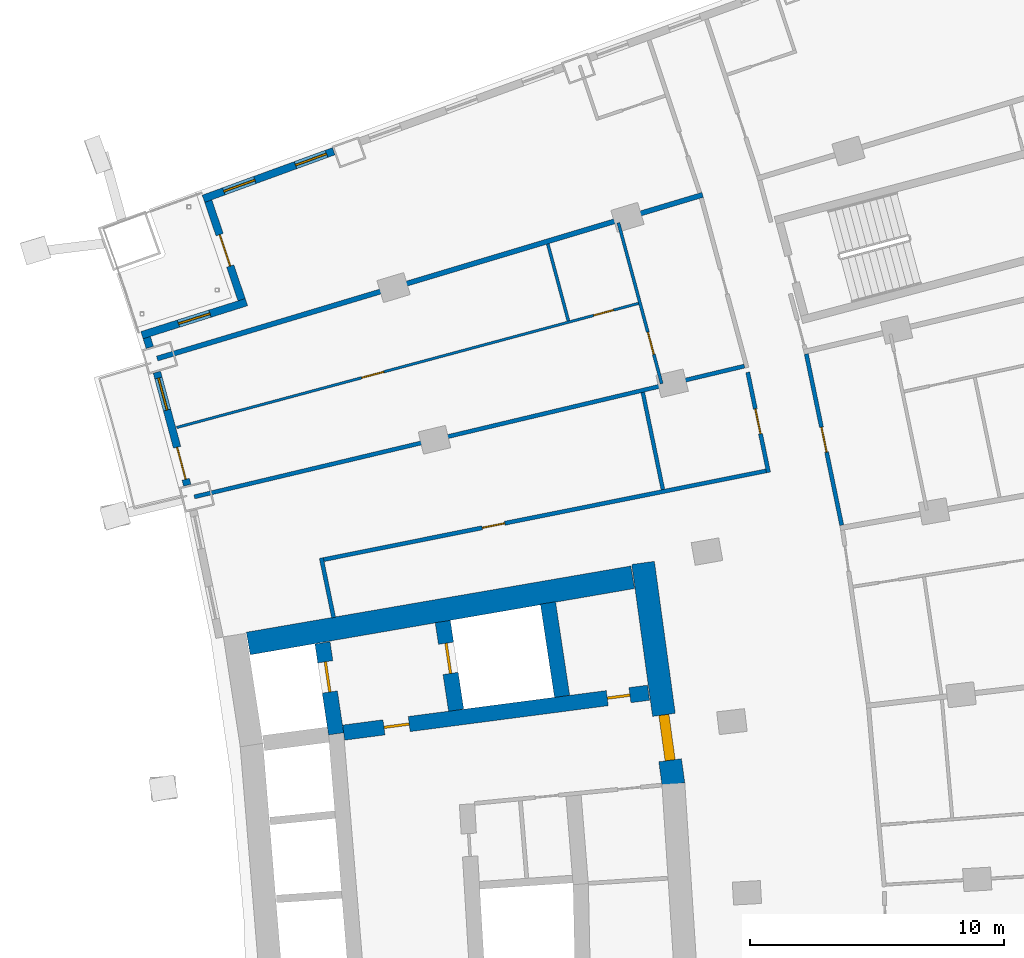
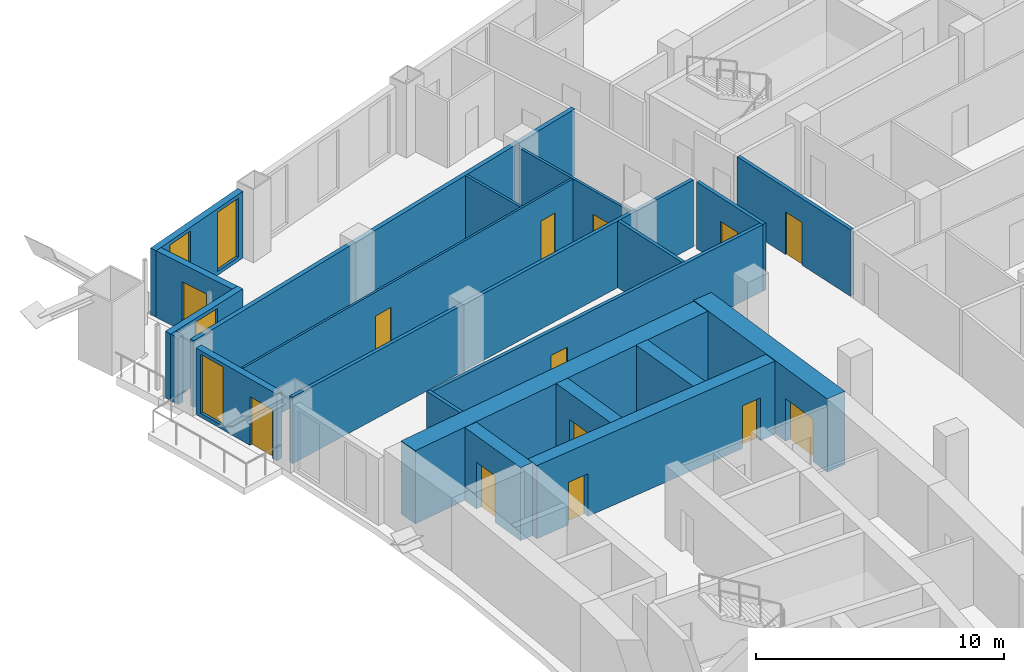
# One storey, part 16 of 22: 21 walls, 13 doors, 4 windows, 17 openings.
"""IFC4 building model written with IfcOpenShell, lengths in metres."""

from ifc_helpers import new_model, si_unit, direction, frame, frame_2d, origin, place, context, subcontext, project, spatial, rectangle, extrude, material, layer, layer_set, type_object, element, fill, save


model = new_model("IFC4")

# Units and contexts
model_context = context("Model", 3, precision=1e-05, world=origin(), true_north=direction((0.0, 1.0)))
body_context = subcontext(model_context, "Body", "Model", "MODEL_VIEW")
ifc_project = project(units=[si_unit("LENGTHUNIT", "METRE"), si_unit("AREAUNIT", "SQUARE_METRE"), si_unit("VOLUMEUNIT", "CUBIC_METRE"), si_unit("PLANEANGLEUNIT", "RADIAN"), si_unit("MASSUNIT", "GRAM", prefix="KILO")], contexts=[model_context])

# Site, building, storey
site_placement = place(None, origin())
site = spatial("IfcSite", under=ifc_project, at=site_placement, CompositionType="ELEMENT")
building_placement = place(site_placement, origin())
building = spatial("IfcBuilding", under=site, at=building_placement, Name="Alderwake Tower", CompositionType="ELEMENT")
storey_placement = place(building_placement, frame((0.0, 0.0, 50.0)))
storey = spatial("IfcBuildingStorey", under=building, at=storey_placement, Name="L11", CompositionType="ELEMENT", Elevation=50.0)

# Wall, opening, door
ifc_material_1 = material(Name="Concrete C70/85", Category="concrete")
ifc_layer_1 = layer(ifc_material_1, 0.89990234375)
ifc_layer_set_1 = layer_set([ifc_layer_1], Name="Core wall outer 900 C70-85")
wall_type_1 = type_object("IfcWallType", Name="Core wall outer 900 C70-85", PredefinedType="SHEAR", material=ifc_layer_set_1)
wall_1_placement = place(storey_placement, frame((31.520263671875, 80.7177734375, 0.0), z_axis=(0.0, 0.0, 1.0), x_axis=(0.135844728876, -0.990730139663, 0.0)))
wall_1 = element("IfcWall", 1, at=wall_1_placement, inside=storey, type_object=wall_type_1, Name="Core wall CW.009", PredefinedType="SHEAR", context=body_context, shape_type="SweptSolid", body=[
    extrude(rectangle(XDim=8.78662109375, YDim=0.89990234375, at=frame_2d((4.393310546875, 0.0))), origin(), (0.0, 0.0, 1.0), 3.60009765625),
])
opening_1_placement = place(wall_1_placement, frame((6.02978515625, 0.0, 0.0)))
opening_1 = element("IfcOpeningElement", 2, at=opening_1_placement, cuts=wall_1, Name="Opening C001", PredefinedType="OPENING", context=body_context, shape_type="SweptSolid", body=[
    extrude(rectangle(XDim=1.800048828125, YDim=2.10009765625, at=frame_2d((0.89990234375, 1.050048828125))), frame((0.0, 0.4599609375, 0.0), z_axis=(0.0, -1.0, 0.0), x_axis=(1.0, 0.0, 0.0)), (0.0, 0.0, 1.0), 0.919921875),
])
ifc_material_2 = material(Name="Steel-framed fire door leaves", Category="steel")
door_type_1 = type_object("IfcDoorType", Name="Core double door 1800 fire-rated", OperationType="DOUBLE_DOOR_SINGLE_SWING", PredefinedType="DOOR", material=ifc_material_2)
door_1_placement = place(opening_1_placement, origin())
door_1 = element("IfcDoor", 3, at=door_1_placement, inside=storey, type_object=door_type_1, Name="Lobby double door", OperationType="DOUBLE_DOOR_SINGLE_SWING", OverallHeight=2.10009765625, OverallWidth=1.800048828125, PredefinedType="DOOR", context=body_context, shape_type="SweptSolid", body=[
    extrude(rectangle(XDim=1.800048828125, YDim=2.10009765625, at=frame_2d((0.89990234375, 1.050048828125))), frame((0.0, 0.199951171875, 0.0), z_axis=(0.0, -1.0, 0.0), x_axis=(1.0, 0.0, 0.0)), (0.0, 0.0, 1.0), 0.39990234375),
])
fill(opening_1, door_1)

# Wall
wall_2_placement = place(storey_placement, frame((16.005615234375, 77.548828125, 0.0), z_axis=(0.0, 0.0, 1.0), x_axis=(0.985465815888, 0.169873852363, 0.0)))
element("IfcWall", 4, at=wall_2_placement, inside=storey, type_object=wall_type_1, Name="Core wall CW.053", PredefinedType="SHEAR", context=body_context, shape_type="SweptSolid", body=[
    extrude(rectangle(XDim=15.33056640625, YDim=0.89990234375, at=frame_2d((7.665283203125, 0.0))), origin(), (0.0, 0.0, 1.0), 3.60009765625),
])

# Wall, opening, door
ifc_material_3 = material(Name="Concrete C70/85", Category="concrete")
ifc_layer_2 = layer(ifc_material_3, 0.60009765625)
ifc_layer_set_2 = layer_set([ifc_layer_2], Name="Core wall spine 600 C70-85")
wall_type_2 = type_object("IfcWallType", Name="Core wall spine 600 C70-85", PredefinedType="SHEAR", material=ifc_layer_set_2)
wall_3_placement = place(storey_placement, frame((19.45458984375, 73.99755859375, 0.0), z_axis=(0.0, 0.0, 1.0), x_axis=(-0.147502312715, 0.989061710786, 0.0)))
wall_3 = element("IfcWall", 5, at=wall_3_placement, inside=storey, type_object=wall_type_2, Name="Core wall CW.030", PredefinedType="SHEAR", context=body_context, shape_type="SweptSolid", body=[
    extrude(rectangle(XDim=3.6181640625, YDim=0.60009765625, at=frame_2d((1.80908203125, 0.0))), origin(), (0.0, 0.0, 1.0), 3.60009765625),
])
opening_2_placement = place(wall_3_placement, frame((1.664306640625, 0.0, 0.0)))
opening_2 = element("IfcOpeningElement", 6, at=opening_2_placement, cuts=wall_3, Name="Opening LD-FF1", PredefinedType="OPENING", context=body_context, shape_type="SweptSolid", body=[
    extrude(rectangle(XDim=1.199951171875, YDim=2.300048828125, at=frame_2d((0.60009765625, 1.14990234375))), frame((0.0, 0.31005859375, 0.0), z_axis=(0.0, -1.0, 0.0), x_axis=(1.0, 0.0, 0.0)), (0.0, 0.0, 1.0), 0.6201171875),
])
ifc_material_4 = material(Name="Stainless steel sliding leaf", Category="steel")
door_type_2 = type_object("IfcDoorType", Name="Lift landing door 1200", OperationType="SLIDING_TO_LEFT", PredefinedType="DOOR", material=ifc_material_4)
door_2_placement = place(opening_2_placement, origin())
door_2 = element("IfcDoor", 7, at=door_2_placement, inside=storey, type_object=door_type_2, Name="Lift landing door FF1", OperationType="SLIDING_TO_LEFT", OverallHeight=2.300048828125, OverallWidth=1.199951171875, PredefinedType="DOOR", context=body_context, shape_type="SweptSolid", body=[
    extrude(rectangle(XDim=1.199951171875, YDim=2.300048828125, at=frame_2d((0.60009765625, 1.14990234375))), frame((0.0, 0.050048828125, 0.0), z_axis=(0.0, -1.0, 0.0), x_axis=(1.0, 0.0, 0.0)), (0.0, 0.0, 1.0), 0.10009765625),
])
fill(opening_2, door_2)

wall_4_placement = place(storey_placement, frame((24.173095703125, 74.927734375, 0.0), z_axis=(0.0, 0.0, 1.0), x_axis=(-0.14910953086, 0.988820685365, 0.0)))
wall_4 = element("IfcWall", 8, at=wall_4_placement, inside=storey, type_object=wall_type_2, Name="Core wall CW.044", PredefinedType="SHEAR", context=body_context, shape_type="SweptSolid", body=[
    extrude(rectangle(XDim=3.5234375, YDim=0.60009765625, at=frame_2d((1.76171875, 0.0))), origin(), (0.0, 0.0, 1.0), 3.60009765625),
])
opening_3_placement = place(wall_4_placement, frame((1.4619140625, 0.0, 0.0)))
opening_3 = element("IfcOpeningElement", 9, at=opening_3_placement, cuts=wall_4, Name="Opening LD-FF2", PredefinedType="OPENING", context=body_context, shape_type="SweptSolid", body=[
    extrude(rectangle(XDim=1.199951171875, YDim=2.300048828125, at=frame_2d((0.60009765625, 1.14990234375))), frame((0.0, 0.31005859375, 0.0), z_axis=(0.0, -1.0, 0.0), x_axis=(1.0, 0.0, 0.0)), (0.0, 0.0, 1.0), 0.6201171875),
])
door_3_placement = place(opening_3_placement, origin())
door_3 = element("IfcDoor", 10, at=door_3_placement, inside=storey, type_object=door_type_2, Name="Lift landing door FF2", OperationType="SLIDING_TO_LEFT", OverallHeight=2.300048828125, OverallWidth=1.199951171875, PredefinedType="DOOR", context=body_context, shape_type="SweptSolid", body=[
    extrude(rectangle(XDim=1.199951171875, YDim=2.300048828125, at=frame_2d((0.60009765625, 1.14990234375))), frame((0.0, 0.050048828125, 0.0), z_axis=(0.0, -1.0, 0.0), x_axis=(1.0, 0.0, 0.0)), (0.0, 0.0, 1.0), 0.10009765625),
])
fill(opening_3, door_3)

# Wall
wall_5_placement = place(storey_placement, frame((28.337646484375, 75.472412109375, 0.0), z_axis=(0.0, 0.0, 1.0), x_axis=(-0.149224787751, 0.988803298296, 0.0)))
element("IfcWall", 11, at=wall_5_placement, inside=storey, type_object=wall_type_2, Name="Core wall CW.001", PredefinedType="SHEAR", context=body_context, shape_type="SweptSolid", body=[
    extrude(rectangle(XDim=3.712158203125, YDim=0.60009765625, at=frame_2d((1.85595703125, 0.0))), origin(), (0.0, 0.0, 1.0), 3.60009765625),
])

# Wall, openings, doors
wall_6_placement = place(storey_placement, frame((31.735595703125, 75.6142578125, 0.0), z_axis=(0.0, 0.0, 1.0), x_axis=(-0.991553829991, -0.129695806526, 0.0)))
wall_6 = element("IfcWall", 12, at=wall_6_placement, inside=storey, type_object=wall_type_2, Name="Core wall CW.052", PredefinedType="SHEAR", context=body_context, shape_type="SweptSolid", body=[
    extrude(rectangle(XDim=12.0869140625, YDim=0.60009765625, at=frame_2d((6.04345703125, 0.0))), origin(), (0.0, 0.0, 1.0), 3.60009765625),
])
opening_4_placement = place(wall_6_placement, frame((9.4873046875, 0.0, 0.0)))
opening_4 = element("IfcOpeningElement", 13, at=opening_4_placement, cuts=wall_6, Name="Opening C002", PredefinedType="OPENING", context=body_context, shape_type="SweptSolid", body=[
    extrude(rectangle(XDim=1.0, YDim=2.10009765625, at=frame_2d((0.5, 1.050048828125))), frame((0.0, 0.31005859375, 0.0), z_axis=(0.0, -1.0, 0.0), x_axis=(1.0, 0.0, 0.0)), (0.0, 0.0, 1.0), 0.6201171875),
])
opening_5_placement = place(wall_6_placement, frame((0.7373046875, 0.0, 0.0)))
opening_5 = element("IfcOpeningElement", 14, at=opening_5_placement, cuts=wall_6, Name="Opening C020", PredefinedType="OPENING", context=body_context, shape_type="SweptSolid", body=[
    extrude(rectangle(XDim=0.89990234375, YDim=2.10009765625, at=frame_2d((0.449951171875, 1.050048828125))), frame((0.0, 0.31005859375, 0.0), z_axis=(0.0, -1.0, 0.0), x_axis=(1.0, 0.0, 0.0)), (0.0, 0.0, 1.0), 0.6201171875),
])
ifc_material_5 = material(Name="Painted steel leaf", Category="steel")
door_type_3 = type_object("IfcDoorType", Name="Core room door 900", OperationType="SINGLE_SWING_LEFT", PredefinedType="DOOR", material=ifc_material_5)
door_4_placement = place(opening_5_placement, origin())
door_4 = element("IfcDoor", 15, at=door_4_placement, inside=storey, type_object=door_type_3, Name="Room door", OperationType="SINGLE_SWING_LEFT", OverallHeight=2.10009765625, OverallWidth=0.89990234375, PredefinedType="DOOR", context=body_context, shape_type="SweptSolid", body=[
    extrude(rectangle(XDim=0.89990234375, YDim=2.10009765625, at=frame_2d((0.449951171875, 1.050048828125))), frame((0.0, 0.050048828125, 0.0), z_axis=(0.0, -1.0, 0.0), x_axis=(1.0, 0.0, 0.0)), (0.0, 0.0, 1.0), 0.10009765625),
])
fill(opening_5, door_4)
ifc_material_6 = material(Name="Steel-framed fire door leaf", Category="steel")
door_type_4 = type_object("IfcDoorType", Name="Firefighting lobby door 1000 fire-rated", OperationType="SINGLE_SWING_LEFT", PredefinedType="DOOR", material=ifc_material_6)
door_5_placement = place(opening_4_placement, origin())
door_5 = element("IfcDoor", 16, at=door_5_placement, inside=storey, type_object=door_type_4, Name="Firefighting lobby door", OperationType="SINGLE_SWING_RIGHT", OverallHeight=2.10009765625, OverallWidth=1.0, PredefinedType="DOOR", context=body_context, shape_type="SweptSolid", body=[
    extrude(rectangle(XDim=1.0, YDim=2.10009765625, at=frame_2d((0.5, 1.050048828125))), frame((0.0, 0.050048828125, 0.0), z_axis=(0.0, -1.0, 0.0), x_axis=(1.0, 0.0, 0.0)), (0.0, 0.0, 1.0), 0.10009765625),
])
fill(opening_4, door_5)

# Walls
ifc_material_7 = material(Name="Gypsum board on metal studs, rated")
ifc_layer_3 = layer(ifc_material_7, 0.159912109375)
ifc_layer_set_3 = layer_set([ifc_layer_3], Name="Corridor wall 160")
wall_type_3 = type_object("IfcWallType", Name="Corridor wall 160", PredefinedType="PARTITIONING", material=ifc_layer_set_3)
wall_7_placement = place(storey_placement, frame((18.874755859375, 80.910400390625, 0.0), z_axis=(0.0, 0.0, 1.0), x_axis=(0.202312089075, -0.979321100873, 0.0)))
element("IfcWall", 17, at=wall_7_placement, inside=storey, type_object=wall_type_3, Name="WL/L11/W16", PredefinedType="PARTITIONING", context=body_context, shape_type="SweptSolid", body=[
    extrude(rectangle(XDim=2.39306640625, YDim=0.159912109375, at=frame_2d((1.196533203125, 0.0))), origin(), (0.0, 0.0, 1.0), 3.280029296875),
])
wall_8_placement = place(storey_placement, frame((35.502197265625, 88.451416015625, 0.0), z_axis=(0.0, 0.0, 1.0), x_axis=(-0.972894913244, -0.231247676278, 0.0)))
element("IfcWall", 18, at=wall_8_placement, inside=storey, type_object=wall_type_3, Name="WL/L11/W23", PredefinedType="PARTITIONING", context=body_context, shape_type="SweptSolid", body=[
    extrude(rectangle(XDim=22.220458984375, YDim=0.159912109375, at=frame_2d((11.1103515625, 0.0))), origin(), (0.0, 0.0, 1.0), 3.280029296875),
])

# Wall, opening, door
wall_9_placement = place(storey_placement, frame((36.451416015625, 84.272705078125, 0.0), z_axis=(0.0, 0.0, 1.0), x_axis=(-0.203258199701, 0.979125172924, 0.0)))
wall_9 = element("IfcWall", 19, at=wall_9_placement, inside=storey, type_object=wall_type_3, Name="WL/L11/W24", PredefinedType="PARTITIONING", context=body_context, shape_type="SweptSolid", body=[
    extrude(rectangle(XDim=4.020263671875, YDim=0.159912109375, at=frame_2d((2.01025390625, 0.0))), origin(), (0.0, 0.0, 1.0), 3.280029296875),
])
opening_6_placement = place(wall_9_placement, frame((1.549560546875, 0.0, 0.0)))
opening_6 = element("IfcOpeningElement", 20, at=opening_6_placement, cuts=wall_9, Name="Opening R02-SBN2", PredefinedType="OPENING", context=body_context, shape_type="SweptSolid", body=[
    extrude(rectangle(XDim=1.0, YDim=2.10009765625, at=frame_2d((0.5, 1.050048828125))), frame((0.0, 0.08984375, 0.0), z_axis=(0.0, -1.0, 0.0), x_axis=(1.0, 0.0, 0.0)), (0.0, 0.0, 1.0), 0.179931640625),
])
ifc_material_8 = material(Name="Steel-framed fire door leaf", Category="steel")
door_type_5 = type_object("IfcDoorType", Name="Plant room door 1000 fire-rated", OperationType="SINGLE_SWING_LEFT", PredefinedType="DOOR", material=ifc_material_8)
door_6_placement = place(opening_6_placement, origin())
door_6 = element("IfcDoor", 21, at=door_6_placement, inside=storey, type_object=door_type_5, Name="DR/L11/SBN2", OperationType="SINGLE_SWING_LEFT", OverallHeight=2.10009765625, OverallWidth=1.0, PredefinedType="DOOR", context=body_context, shape_type="SweptSolid", body=[
    extrude(rectangle(XDim=1.0, YDim=2.10009765625, at=frame_2d((0.5, 1.050048828125))), frame((0.0, 0.02490234375, 0.0), z_axis=(0.0, -1.0, 0.0), x_axis=(1.0, 0.0, 0.0)), (0.0, 0.0, 1.0), 0.050048828125),
])
fill(opening_6, door_6)

wall_10_placement = place(storey_placement, frame((18.969482421875, 80.84765625, 0.0), z_axis=(0.0, 0.0, 1.0), x_axis=(0.980470914622, 0.196664144112, 0.0)))
wall_10 = element("IfcWall", 22, at=wall_10_placement, inside=storey, type_object=wall_type_3, Name="WL/L11/W28", PredefinedType="PARTITIONING", context=body_context, shape_type="SweptSolid", body=[
    extrude(rectangle(XDim=17.733642578125, YDim=0.159912109375, at=frame_2d((8.86669921875, 0.0))), origin(), (0.0, 0.0, 1.0), 3.280029296875),
])
opening_7_placement = place(wall_10_placement, frame((6.35693359375, 0.0, 0.0)))
opening_7 = element("IfcOpeningElement", 23, at=opening_7_placement, cuts=wall_10, Name="Opening R02-SBN1", PredefinedType="OPENING", context=body_context, shape_type="SweptSolid", body=[
    extrude(rectangle(XDim=0.89990234375, YDim=2.10009765625, at=frame_2d((0.449951171875, 1.050048828125))), frame((0.0, 0.08984375, 0.0), z_axis=(0.0, -1.0, 0.0), x_axis=(1.0, 0.0, 0.0)), (0.0, 0.0, 1.0), 0.179931640625),
])
ifc_material_9 = material(Name="Painted timber leaf", Category="wood")
door_type_6 = type_object("IfcDoorType", Name="Room door 900", OperationType="SINGLE_SWING_LEFT", PredefinedType="DOOR", material=ifc_material_9)
door_7_placement = place(opening_7_placement, origin())
door_7 = element("IfcDoor", 24, at=door_7_placement, inside=storey, type_object=door_type_6, Name="DR/L11/SBN1", OperationType="SINGLE_SWING_LEFT", OverallHeight=2.10009765625, OverallWidth=0.89990234375, PredefinedType="DOOR", context=body_context, shape_type="SweptSolid", body=[
    extrude(rectangle(XDim=0.89990234375, YDim=2.10009765625, at=frame_2d((0.449951171875, 1.050048828125))), frame((0.0, 0.02490234375, 0.0), z_axis=(0.0, -1.0, 0.0), x_axis=(1.0, 0.0, 0.0)), (0.0, 0.0, 1.0), 0.050048828125),
])
fill(opening_7, door_7)

wall_11_placement = place(storey_placement, frame((37.937255859375, 88.927001953125, 0.0), z_axis=(0.0, 0.0, 1.0), x_axis=(0.20241288737, -0.979300272147, 0.0)))
wall_11 = element("IfcWall", 25, at=wall_11_placement, inside=storey, type_object=wall_type_3, Name="WL/L11/W34", PredefinedType="PARTITIONING", context=body_context, shape_type="SweptSolid", body=[
    extrude(rectangle(XDim=6.870361328125, YDim=0.159912109375, at=frame_2d((3.43505859375, 0.0))), origin(), (0.0, 0.0, 1.0), 3.280029296875),
])
opening_8_placement = place(wall_11_placement, frame((2.93505859375, 0.0, 0.0)))
opening_8 = element("IfcOpeningElement", 26, at=opening_8_placement, cuts=wall_11, Name="Opening R02-U10.2", PredefinedType="OPENING", context=body_context, shape_type="SweptSolid", body=[
    extrude(rectangle(XDim=1.0, YDim=2.10009765625, at=frame_2d((0.5, 1.050048828125))), frame((0.0, 0.08984375, 0.0), z_axis=(0.0, -1.0, 0.0), x_axis=(1.0, 0.0, 0.0)), (0.0, 0.0, 1.0), 0.179931640625),
])
ifc_material_10 = material(Name="Solid timber leaf in steel frame", Category="steel")
door_type_7 = type_object("IfcDoorType", Name="Flat entrance door 1000 fire-rated", OperationType="SINGLE_SWING_LEFT", PredefinedType="DOOR", material=ifc_material_10)
door_8_placement = place(opening_8_placement, origin())
door_8 = element("IfcDoor", 27, at=door_8_placement, inside=storey, type_object=door_type_7, Name="DR/L11/U10.2", OperationType="SINGLE_SWING_LEFT", OverallHeight=2.10009765625, OverallWidth=1.0, PredefinedType="DOOR", context=body_context, shape_type="SweptSolid", body=[
    extrude(rectangle(XDim=1.0, YDim=2.10009765625, at=frame_2d((0.5, 1.050048828125))), frame((0.0, 0.02490234375, 0.0), z_axis=(0.0, -1.0, 0.0), x_axis=(1.0, 0.0, 0.0)), (0.0, 0.0, 1.0), 0.050048828125),
])
fill(opening_8, door_8)

# Wall
ifc_material_11 = material(Name="Precast concrete C50/60 spandrel panel", Category="concrete")
ifc_layer_4 = layer(ifc_material_11, 0.300048828125)
ifc_layer_set_4 = layer_set([ifc_layer_4], Name="External wall EW1 Precast concrete C50/60 spandrel")
wall_type_4 = type_object("IfcWallType", Name="External wall EW1 Precast concrete C50/60 spandrel", PredefinedType="SOLIDWALL", material=ifc_layer_set_4)
wall_12_placement = place(storey_placement, frame((12.01416015625, 89.5703125, 0.0), z_axis=(0.0, 0.0, 1.0), x_axis=(0.29468230117, -0.955595281161, 0.0)))
element("IfcWall", 28, at=wall_12_placement, inside=storey, type_object=wall_type_4, Name="External wall 32", PredefinedType="SOLIDWALL", context=body_context, shape_type="SweptSolid", body=[
    extrude(rectangle(XDim=0.402587890625, YDim=0.300048828125, at=frame_2d((0.201171875, 0.0))), origin(), (0.0, 0.0, 1.0), 3.280029296875),
])

# Wall, openings, door, window
wall_13_placement = place(storey_placement, frame((12.4130859375, 88.212890625, 0.0), z_axis=(0.0, 0.0, 1.0), x_axis=(0.259495671332, -0.965744270788, 0.0)))
wall_13 = element("IfcWall", 29, at=wall_13_placement, inside=storey, type_object=wall_type_4, Name="External wall 33", PredefinedType="SOLIDWALL", context=body_context, shape_type="SweptSolid", body=[
    extrude(rectangle(XDim=4.599609375, YDim=0.300048828125, at=frame_2d((2.2998046875, 0.0))), origin(), (0.0, 0.0, 1.0), 3.280029296875),
])
opening_9_placement = place(wall_13_placement, frame((0.2412109375, 0.0, 0.199951171875)))
opening_9 = element("IfcOpeningElement", 30, at=opening_9_placement, cuts=wall_13, Name="Opening W1", PredefinedType="OPENING", context=body_context, shape_type="SweptSolid", body=[
    extrude(rectangle(XDim=1.300048828125, YDim=2.89990234375, at=frame_2d((0.64990234375, 1.449951171875))), frame((0.0, 0.159912109375, 0.0), z_axis=(0.0, -1.0, 0.0), x_axis=(1.0, 0.0, 0.0)), (0.0, 0.0, 1.0), 0.320068359375),
])
opening_10_placement = place(wall_13_placement, frame((3.058349609375, 0.0, 0.0)))
opening_10 = element("IfcOpeningElement", 31, at=opening_10_placement, cuts=wall_13, Name="Opening D15", PredefinedType="OPENING", context=body_context, shape_type="SweptSolid", body=[
    extrude(rectangle(XDim=1.300048828125, YDim=2.39990234375, at=frame_2d((0.64990234375, 1.199951171875))), frame((0.0, 0.159912109375, 0.0), z_axis=(0.0, -1.0, 0.0), x_axis=(1.0, 0.0, 0.0)), (0.0, 0.0, 1.0), 0.320068359375),
])
ifc_material_12 = material(Name="Bronze tinted glass in aluminium frame", Category="aluminium")
door_type_8 = type_object("IfcDoorType", Name="Balcony door BD sliding", OperationType="SLIDING_TO_LEFT", PredefinedType="DOOR", material=ifc_material_12)
door_9_placement = place(opening_10_placement, origin())
door_9 = element("IfcDoor", 32, at=door_9_placement, inside=storey, type_object=door_type_8, Name="Door D15", OperationType="SLIDING_TO_LEFT", OverallHeight=2.39990234375, OverallWidth=1.300048828125, PredefinedType="DOOR", context=body_context, shape_type="SweptSolid", body=[
    extrude(rectangle(XDim=1.300048828125, YDim=2.39990234375, at=frame_2d((0.64990234375, 1.199951171875))), frame((0.0, 0.02490234375, 0.0), z_axis=(0.0, -1.0, 0.0), x_axis=(1.0, 0.0, 0.0)), (0.0, 0.0, 1.0), 0.050048828125),
])
fill(opening_10, door_9)
ifc_material_13 = material(Name="Bronze tinted glass in aluminium frame", Category="aluminium")
window_type = type_object("IfcWindowType", Name="Window W1 tall fixed and vent", PartitioningType="DOUBLE_PANEL_VERTICAL", PredefinedType="WINDOW", material=ifc_material_13)
window_1_placement = place(opening_9_placement, origin())
window_1 = element("IfcWindow", 33, at=window_1_placement, inside=storey, type_object=window_type, Name="Window W1 tall fixed and vent", OverallHeight=2.89990234375, OverallWidth=1.300048828125, PartitioningType="DOUBLE_PANEL_VERTICAL", PredefinedType="WINDOW", context=body_context, shape_type="SweptSolid", body=[
    extrude(rectangle(XDim=1.300048828125, YDim=2.89990234375, at=frame_2d((0.64990234375, 1.449951171875))), frame((0.0, 0.030029296875, 0.0), z_axis=(0.0, -1.0, 0.0), x_axis=(1.0, 0.0, 0.0)), (0.0, 0.0, 1.0), 0.06005859375),
])
fill(opening_9, window_1)

# Wall, openings, windows
ifc_material_14 = material(Name="Bronze metal cladding on lightweight framing")
ifc_layer_5 = layer(ifc_material_14, 0.300048828125)
ifc_layer_set_5 = layer_set([ifc_layer_5], Name="External wall EW2 bronze metal cladding")
wall_type_5 = type_object("IfcWallType", Name="External wall EW2 bronze metal cladding", PredefinedType="SOLIDWALL", material=ifc_layer_set_5)
wall_14_placement = place(storey_placement, frame((19.360595703125, 96.89697265625, 0.0), z_axis=(0.0, 0.0, 1.0), x_axis=(-0.939360985368, -0.342929933321, 0.0)))
wall_14 = element("IfcWall", 34, at=wall_14_placement, inside=storey, type_object=wall_type_5, Name="External wall 29", PredefinedType="SOLIDWALL", context=body_context, shape_type="SweptSolid", body=[
    extrude(rectangle(XDim=5.448974609375, YDim=0.300048828125, at=frame_2d((2.724609375, 0.0))), origin(), (0.0, 0.0, 1.0), 3.280029296875),
])
opening_11_placement = place(wall_14_placement, frame((0.2978515625, 0.0, 0.199951171875)))
opening_11 = element("IfcOpeningElement", 35, at=opening_11_placement, cuts=wall_14, Name="Opening W1", PredefinedType="OPENING", context=body_context, shape_type="SweptSolid", body=[
    extrude(rectangle(XDim=1.300048828125, YDim=2.89990234375, at=frame_2d((0.64990234375, 1.449951171875))), frame((0.0, 0.159912109375, 0.0), z_axis=(0.0, -1.0, 0.0), x_axis=(1.0, 0.0, 0.0)), (0.0, 0.0, 1.0), 0.320068359375),
])
opening_12_placement = place(wall_14_placement, frame((3.298583984375, 0.0, 0.199951171875)))
opening_12 = element("IfcOpeningElement", 36, at=opening_12_placement, cuts=wall_14, Name="Opening W1", PredefinedType="OPENING", context=body_context, shape_type="SweptSolid", body=[
    extrude(rectangle(XDim=1.300048828125, YDim=2.89990234375, at=frame_2d((0.64990234375, 1.449951171875))), frame((0.0, 0.159912109375, 0.0), z_axis=(0.0, -1.0, 0.0), x_axis=(1.0, 0.0, 0.0)), (0.0, 0.0, 1.0), 0.320068359375),
])
window_2_placement = place(opening_11_placement, origin())
window_2 = element("IfcWindow", 37, at=window_2_placement, inside=storey, type_object=window_type, Name="Window W1 tall fixed and vent", OverallHeight=2.89990234375, OverallWidth=1.300048828125, PartitioningType="DOUBLE_PANEL_VERTICAL", PredefinedType="WINDOW", context=body_context, shape_type="SweptSolid", body=[
    extrude(rectangle(XDim=1.300048828125, YDim=2.89990234375, at=frame_2d((0.64990234375, 1.449951171875))), frame((0.0, 0.030029296875, 0.0), z_axis=(0.0, -1.0, 0.0), x_axis=(1.0, 0.0, 0.0)), (0.0, 0.0, 1.0), 0.06005859375),
])
fill(opening_11, window_2)
window_3_placement = place(opening_12_placement, origin())
window_3 = element("IfcWindow", 38, at=window_3_placement, inside=storey, type_object=window_type, Name="Window W1 tall fixed and vent", OverallHeight=2.89990234375, OverallWidth=1.300048828125, PartitioningType="DOUBLE_PANEL_VERTICAL", PredefinedType="WINDOW", context=body_context, shape_type="SweptSolid", body=[
    extrude(rectangle(XDim=1.300048828125, YDim=2.89990234375, at=frame_2d((0.64990234375, 1.449951171875))), frame((0.0, 0.030029296875, 0.0), z_axis=(0.0, -1.0, 0.0), x_axis=(1.0, 0.0, 0.0)), (0.0, 0.0, 1.0), 0.06005859375),
])
fill(opening_12, window_3)

# Wall, opening, door
wall_15_placement = place(storey_placement, frame((14.430908203125, 94.937744140625, 0.0), z_axis=(0.0, 0.0, 1.0), x_axis=(0.320379458656, -0.947289291859, 0.0)))
wall_15 = element("IfcWall", 39, at=wall_15_placement, inside=storey, type_object=wall_type_5, Name="External wall 30", PredefinedType="SOLIDWALL", context=body_context, shape_type="SweptSolid", body=[
    extrude(rectangle(XDim=4.08984375, YDim=0.300048828125, at=frame_2d((2.044921875, 0.0))), origin(), (0.0, 0.0, 1.0), 3.280029296875),
])
opening_13_placement = place(wall_15_placement, frame((1.39501953125, 0.0, 0.0)))
opening_13 = element("IfcOpeningElement", 40, at=opening_13_placement, cuts=wall_15, Name="Opening D14", PredefinedType="OPENING", context=body_context, shape_type="SweptSolid", body=[
    extrude(rectangle(XDim=1.300048828125, YDim=2.39990234375, at=frame_2d((0.64990234375, 1.199951171875))), frame((0.0, 0.159912109375, 0.0), z_axis=(0.0, -1.0, 0.0), x_axis=(1.0, 0.0, 0.0)), (0.0, 0.0, 1.0), 0.320068359375),
])
door_10_placement = place(opening_13_placement, origin())
door_10 = element("IfcDoor", 41, at=door_10_placement, inside=storey, type_object=door_type_8, Name="Door D14", OperationType="SLIDING_TO_LEFT", OverallHeight=2.39990234375, OverallWidth=1.300048828125, PredefinedType="DOOR", context=body_context, shape_type="SweptSolid", body=[
    extrude(rectangle(XDim=1.300048828125, YDim=2.39990234375, at=frame_2d((0.64990234375, 1.199951171875))), frame((0.0, 0.02490234375, 0.0), z_axis=(0.0, -1.0, 0.0), x_axis=(1.0, 0.0, 0.0)), (0.0, 0.0, 1.0), 0.050048828125),
])
fill(opening_13, door_10)

# Wall, opening, window
wall_16_placement = place(storey_placement, frame((15.932373046875, 90.966552734375, 0.0), z_axis=(0.0, 0.0, 1.0), x_axis=(-0.953473772386, -0.301475978103, 0.0)))
wall_16 = element("IfcWall", 42, at=wall_16_placement, inside=storey, type_object=wall_type_5, Name="External wall 31", PredefinedType="SOLIDWALL", context=body_context, shape_type="SweptSolid", body=[
    extrude(rectangle(XDim=4.305908203125, YDim=0.300048828125, at=frame_2d((2.15283203125, 0.0))), origin(), (0.0, 0.0, 1.0), 3.280029296875),
])
opening_14_placement = place(wall_16_placement, frame((1.5029296875, 0.0, 0.199951171875)))
opening_14 = element("IfcOpeningElement", 43, at=opening_14_placement, cuts=wall_16, Name="Opening W1", PredefinedType="OPENING", context=body_context, shape_type="SweptSolid", body=[
    extrude(rectangle(XDim=1.300048828125, YDim=2.89990234375, at=frame_2d((0.64990234375, 1.449951171875))), frame((0.0, 0.159912109375, 0.0), z_axis=(0.0, -1.0, 0.0), x_axis=(1.0, 0.0, 0.0)), (0.0, 0.0, 1.0), 0.320068359375),
])
window_4_placement = place(opening_14_placement, origin())
window_4 = element("IfcWindow", 44, at=window_4_placement, inside=storey, type_object=window_type, Name="Window W1 tall fixed and vent", OverallHeight=2.89990234375, OverallWidth=1.300048828125, PartitioningType="DOUBLE_PANEL_VERTICAL", PredefinedType="WINDOW", context=body_context, shape_type="SweptSolid", body=[
    extrude(rectangle(XDim=1.300048828125, YDim=2.89990234375, at=frame_2d((0.64990234375, 1.449951171875))), frame((0.0, 0.030029296875, 0.0), z_axis=(0.0, -1.0, 0.0), x_axis=(1.0, 0.0, 0.0)), (0.0, 0.0, 1.0), 0.06005859375),
])
fill(opening_14, window_4)

# Walls
ifc_material_15 = material(Name="Dense block masonry wall", Category="masonry")
ifc_layer_6 = layer(ifc_material_15, 0.199951171875)
ifc_layer_set_6 = layer_set([ifc_layer_6], Name="Party wall 200")
wall_type_6 = type_object("IfcWallType", Name="Party wall 200", PredefinedType="SOLIDWALL", material=ifc_layer_set_6)
wall_17_placement = place(storey_placement, frame((12.423095703125, 88.7490234375, 0.0), z_axis=(0.0, 0.0, 1.0), x_axis=(0.957787847597, 0.287475979859, 0.0)))
element("IfcWall", 45, at=wall_17_placement, inside=storey, type_object=wall_type_6, Name="WL/L11/W01", PredefinedType="SOLIDWALL", context=body_context, shape_type="SweptSolid", body=[
    extrude(rectangle(XDim=22.38134765625, YDim=0.199951171875, at=frame_2d((11.190673828125, 0.0))), origin(), (0.0, 0.0, 1.0), 3.280029296875),
])
ifc_material_16 = material(Name="Gypsum shaft wall system, rated")
ifc_layer_7 = layer(ifc_material_16, 0.14990234375)
ifc_layer_set_7 = layer_set([ifc_layer_7], Name="Riser and shaft wall 150")
wall_type_7 = type_object("IfcWallType", Name="Riser and shaft wall 150", PredefinedType="PARTITIONING", material=ifc_layer_set_7)
wall_18_placement = place(storey_placement, frame((32.2998046875, 83.601318359375, 0.0), z_axis=(0.0, 0.0, 1.0), x_axis=(-0.202493797034, 0.979283545334, 0.0)))
element("IfcWall", 46, at=wall_18_placement, inside=storey, type_object=wall_type_7, Name="WL/L11/W13", PredefinedType="PARTITIONING", context=body_context, shape_type="SweptSolid", body=[
    extrude(rectangle(XDim=3.899169921875, YDim=0.14990234375, at=frame_2d((1.94970703125, 0.0))), origin(), (0.0, 0.0, 1.0), 3.280029296875),
])

# Wall, openings, doors
ifc_material_17 = material(Name="Gypsum board on metal studs")
ifc_layer_8 = layer(ifc_material_17, 0.10009765625)
ifc_layer_set_8 = layer_set([ifc_layer_8], Name="Unit partition 100")
wall_type_8 = type_object("IfcWallType", Name="Unit partition 100", PredefinedType="PARTITIONING", material=ifc_layer_set_8)
wall_19_placement = place(storey_placement, frame((13.194091796875, 86.0400390625, 0.0), z_axis=(0.0, 0.0, 1.0), x_axis=(0.965722811098, 0.259575522968, 0.0)))
wall_19 = element("IfcWall", 47, at=wall_19_placement, inside=storey, type_object=wall_type_8, Name="WL/L11/W64", PredefinedType="PARTITIONING", context=body_context, shape_type="SweptSolid", body=[
    extrude(rectangle(XDim=18.7900390625, YDim=0.10009765625, at=frame_2d((9.39501953125, 0.0))), origin(), (0.0, 0.0, 1.0), 3.280029296875),
])
opening_15_placement = place(wall_19_placement, frame((16.971435546875, 0.0, 0.0)))
opening_15 = element("IfcOpeningElement", 48, at=opening_15_placement, cuts=wall_19, Name="Opening R02-U13.3", PredefinedType="OPENING", context=body_context, shape_type="SweptSolid", body=[
    extrude(rectangle(XDim=0.800048828125, YDim=2.10009765625, at=frame_2d((0.39990234375, 1.050048828125))), frame((0.0, 0.06005859375, 0.0), z_axis=(0.0, -1.0, 0.0), x_axis=(1.0, 0.0, 0.0)), (0.0, 0.0, 1.0), 0.1201171875),
])
opening_16_placement = place(wall_19_placement, frame((7.526611328125, 0.0, 0.0)))
opening_16 = element("IfcOpeningElement", 49, at=opening_16_placement, cuts=wall_19, Name="Opening R02-U13.4", PredefinedType="OPENING", context=body_context, shape_type="SweptSolid", body=[
    extrude(rectangle(XDim=0.89990234375, YDim=2.10009765625, at=frame_2d((0.449951171875, 1.050048828125))), frame((0.0, 0.06005859375, 0.0), z_axis=(0.0, -1.0, 0.0), x_axis=(1.0, 0.0, 0.0)), (0.0, 0.0, 1.0), 0.1201171875),
])
ifc_material_18 = material(Name="Painted timber leaf", Category="wood")
door_type_9 = type_object("IfcDoorType", Name="Bathroom door 800", OperationType="SINGLE_SWING_LEFT", PredefinedType="DOOR", material=ifc_material_18)
door_11_placement = place(opening_15_placement, origin())
door_11 = element("IfcDoor", 50, at=door_11_placement, inside=storey, type_object=door_type_9, Name="DR/L11/U13.3", OperationType="SINGLE_SWING_LEFT", OverallHeight=2.10009765625, OverallWidth=0.800048828125, PredefinedType="DOOR", context=body_context, shape_type="SweptSolid", body=[
    extrude(rectangle(XDim=0.800048828125, YDim=2.10009765625, at=frame_2d((0.39990234375, 1.050048828125))), frame((0.0, 0.02490234375, 0.0), z_axis=(0.0, -1.0, 0.0), x_axis=(1.0, 0.0, 0.0)), (0.0, 0.0, 1.0), 0.050048828125),
])
fill(opening_15, door_11)
door_12_placement = place(opening_16_placement, origin())
door_12 = element("IfcDoor", 51, at=door_12_placement, inside=storey, type_object=door_type_6, Name="DR/L11/U13.4", OperationType="SINGLE_SWING_LEFT", OverallHeight=2.10009765625, OverallWidth=0.89990234375, PredefinedType="DOOR", context=body_context, shape_type="SweptSolid", body=[
    extrude(rectangle(XDim=0.89990234375, YDim=2.10009765625, at=frame_2d((0.449951171875, 1.050048828125))), frame((0.0, 0.02490234375, 0.0), z_axis=(0.0, -1.0, 0.0), x_axis=(1.0, 0.0, 0.0)), (0.0, 0.0, 1.0), 0.050048828125),
])
fill(opening_16, door_12)

# Wall
ifc_material_19 = material(Name="Moisture resistant gypsum board on metal studs")
ifc_layer_9 = layer(ifc_material_19, 0.1201171875)
ifc_layer_set_9 = layer_set([ifc_layer_9], Name="Wet room partition 120")
wall_type_9 = type_object("IfcWallType", Name="Wet room partition 120", PredefinedType="PARTITIONING", material=ifc_layer_set_9)
wall_20_placement = place(storey_placement, frame((27.77587890625, 93.25146484375, 0.0), z_axis=(0.0, 0.0, 1.0), x_axis=(0.258890741102, -0.965906612552, 0.0)))
element("IfcWall", 52, at=wall_20_placement, inside=storey, type_object=wall_type_9, Name="WL/L11/W40", PredefinedType="PARTITIONING", context=body_context, shape_type="SweptSolid", body=[
    extrude(rectangle(XDim=3.1298828125, YDim=0.1201171875, at=frame_2d((1.56494140625, 0.0))), origin(), (0.0, 0.0, 1.0), 3.280029296875),
])

# Wall, opening, door
wall_21_placement = place(storey_placement, frame((32.253173828125, 87.76123046875, 0.0), z_axis=(0.0, 0.0, 1.0), x_axis=(-0.259898609198, 0.965635911168, 0.0)))
wall_21 = element("IfcWall", 53, at=wall_21_placement, inside=storey, type_object=wall_type_9, Name="WL/L11/W44", PredefinedType="PARTITIONING", context=body_context, shape_type="SweptSolid", body=[
    extrude(rectangle(XDim=6.54931640625, YDim=0.1201171875, at=frame_2d((3.274658203125, 0.0))), origin(), (0.0, 0.0, 1.0), 3.280029296875),
])
opening_17_placement = place(wall_21_placement, frame((1.1923828125, 0.0, 0.0)))
opening_17 = element("IfcOpeningElement", 54, at=opening_17_placement, cuts=wall_21, Name="Opening R02-U13.2", PredefinedType="OPENING", context=body_context, shape_type="SweptSolid", body=[
    extrude(rectangle(XDim=0.89990234375, YDim=2.10009765625, at=frame_2d((0.449951171875, 1.050048828125))), frame((0.0, 0.070068359375, 0.0), z_axis=(0.0, -1.0, 0.0), x_axis=(1.0, 0.0, 0.0)), (0.0, 0.0, 1.0), 0.14013671875),
])
door_13_placement = place(opening_17_placement, origin())
door_13 = element("IfcDoor", 55, at=door_13_placement, inside=storey, type_object=door_type_6, Name="DR/L11/U13.2", OperationType="SINGLE_SWING_LEFT", OverallHeight=2.10009765625, OverallWidth=0.89990234375, PredefinedType="DOOR", context=body_context, shape_type="SweptSolid", body=[
    extrude(rectangle(XDim=0.89990234375, YDim=2.10009765625, at=frame_2d((0.449951171875, 1.050048828125))), frame((0.0, 0.02490234375, 0.0), z_axis=(0.0, -1.0, 0.0), x_axis=(1.0, 0.0, 0.0)), (0.0, 0.0, 1.0), 0.050048828125),
])
fill(opening_17, door_13)

save(model, "model.ifc")
